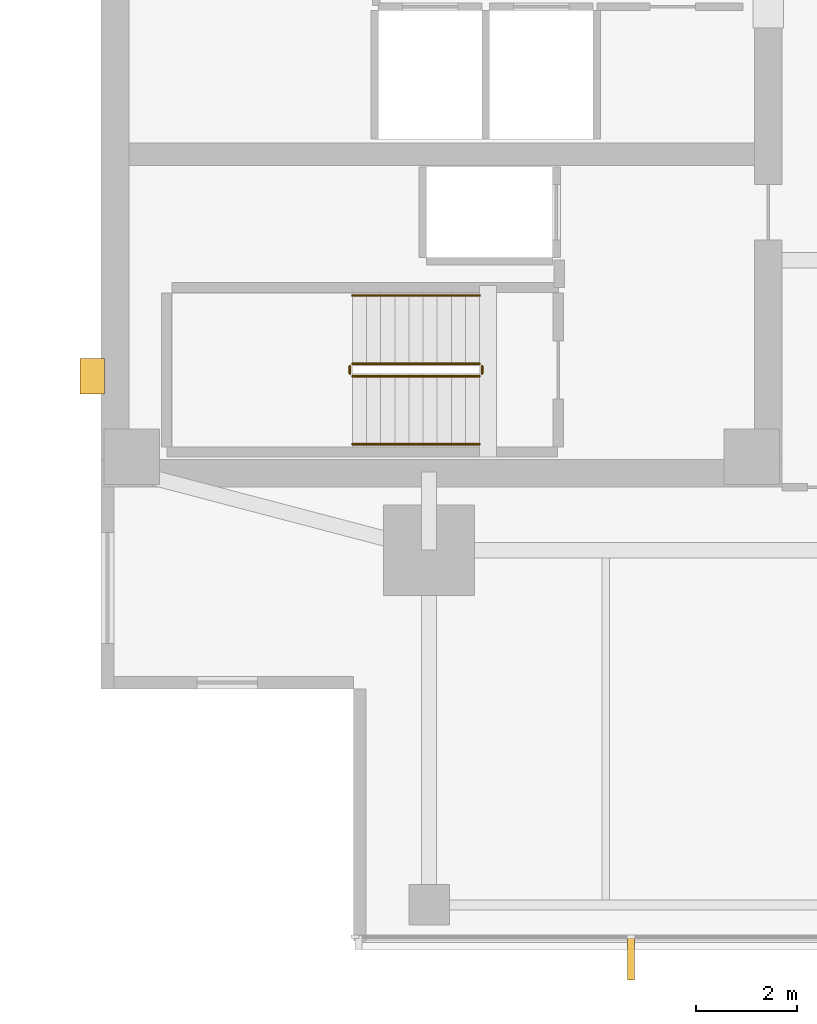
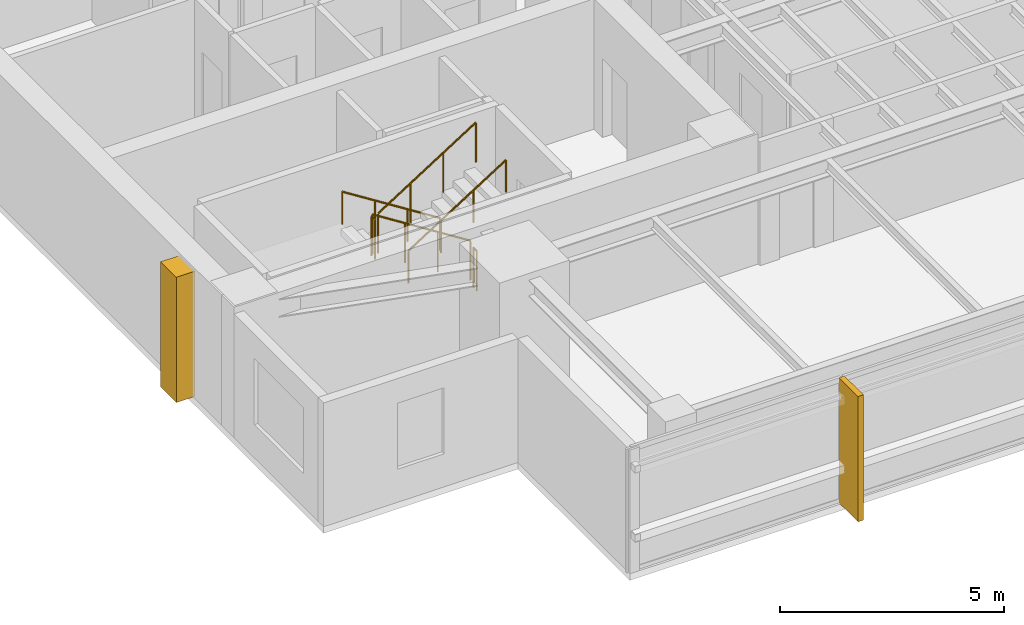
# One storey, part 11 of 14: 6 railings, 2 coverings.
"""IFC4 building model written with IfcOpenShell, lengths in metres."""

from ifc_helpers import new_model, si_unit, direction, frame, origin, origin_2d, place, context, subcontext, project, spatial, polyline, circle, outline, extrude, material, layer, layer_set, type_object, element, save


model = new_model("IFC4")

# Units and contexts
model_context = context("Model", 3, precision=1e-05, world=origin(), true_north=direction((0.0, 1.0)))
body_context = subcontext(model_context, "Body", "Model", "MODEL_VIEW")
ifc_project = project(units=[si_unit("LENGTHUNIT", "METRE"), si_unit("AREAUNIT", "SQUARE_METRE"), si_unit("VOLUMEUNIT", "CUBIC_METRE"), si_unit("PLANEANGLEUNIT", "RADIAN"), si_unit("MASSUNIT", "GRAM", prefix="KILO")], contexts=[model_context])

# Site, building, storey
site_placement = place(None, origin())
site = spatial("IfcSite", under=ifc_project, at=site_placement, CompositionType="ELEMENT")
building_placement = place(site_placement, origin())
building = spatial("IfcBuilding", under=site, at=building_placement, Name="Kinhvarn Gate Tower", CompositionType="ELEMENT")
storey_placement = place(building_placement, frame((0.0, 0.0, 216.449951171875)))
storey = spatial("IfcBuildingStorey", under=building, at=storey_placement, Name="L57", CompositionType="ELEMENT", Elevation=216.449951171875)

# Coverings
ifc_material_1 = material(Name="Fired architectural terracotta", Category="masonry")
ifc_layer_1 = layer(ifc_material_1, 0.139892578125)
ifc_layer_set_1 = layer_set([ifc_layer_1], Name="Fired architectural terracotta")
covering_type_1 = type_object("IfcCoveringType", Name="COV-FIN-850", PredefinedType="CLADDING", material=ifc_layer_set_1)
covering_1_placement = place(storey_placement, frame((0.0, 0.0, -0.02001953125)))
element("IfcCovering", 1, at=covering_1_placement, inside=storey, type_object=covering_type_1, Name="Vertical Terracotta Expressive Fin TFN-850 (L57)", PredefinedType="CLADDING", context=body_context, shape_type="SweptSolid", body=[
    extrude(outline(polyline([(14.929931640625, 5.080078125), (15.070068359375, 5.080078125), (15.070068359375, 4.22998046875), (14.929931640625, 4.22998046875), (14.929931640625, 5.080078125)])), origin(), (0.0, 0.0, 1.0), 3.41015625),
])
ifc_material_2 = material(Name="Precast white architectural concrete C40/50", Category="concrete")
ifc_layer_2 = layer(ifc_material_2, 0.47998046875)
ifc_layer_set_2 = layer_set([ifc_layer_2], Name="Precast white architectural concrete C40/50")
covering_type_2 = type_object("IfcCoveringType", Name="COV-RIB-450", PredefinedType="CLADDING", material=ifc_layer_set_2)
covering_2_placement = place(storey_placement, frame((0.0, 0.0, -0.02001953125)))
element("IfcCovering", 2, at=covering_2_placement, inside=storey, type_object=covering_type_2, Name="West Core Sculptural Concrete Relief Rib CRB-450 (L57)", PredefinedType="CLADDING", context=body_context, shape_type="SweptSolid", body=[
    extrude(outline(polyline([(4.080078125, 15.85009765625), (4.56005859375, 15.85009765625), (4.56005859375, 16.550048828125), (4.080078125, 16.550048828125), (4.080078125, 15.85009765625)])), origin(), (0.0, 0.0, 1.0), 3.41015625),
])

# Railings
ifc_material_3 = material(Name="Steel S355", Category="steel")
railing_type_1 = type_object("IfcRailingType", Name="RL-ST-GRD", PredefinedType="BALUSTRADE", material=ifc_material_3)
railing_1_placement = place(storey_placement, frame((12.0, 16.449951171875, 0.177490234375)))
element("IfcRailing", 3, at=railing_1_placement, inside=storey, type_object=railing_type_1, Name="L57 ST1 stair guard 1", PredefinedType="BALUSTRADE", context=body_context, shape_type="SweptSolid", body=[
    extrude(circle(Radius=0.02392578125, at=origin_2d()), frame((0.0, 0.0, 1.076171875), z_axis=(-0.84456994832, 0.0, 0.535445237532), x_axis=(0.0, -1.0, 0.0)), (0.0, 0.0, 1.0), 2.98388671875),
    extrude(circle(Radius=0.02099609375, at=origin_2d()), origin(), (0.0, 0.0, 1.0), 1.052001953125),
    extrude(circle(Radius=0.02099609375, at=origin_2d()), frame((-0.840087890625, 0.0, 0.532470703125)), (0.0, 0.0, 1.0), 1.052001953125),
    extrude(circle(Radius=0.02099609375, at=origin_2d()), frame((-1.679931640625, 0.0, 1.065185546875)), (0.0, 0.0, 1.0), 1.052001953125),
    extrude(circle(Radius=0.02099609375, at=origin_2d()), frame((-2.52001953125, 0.0, 1.59765625)), (0.0, 0.0, 1.0), 1.052001953125),
])
railing_2_placement = place(storey_placement, frame((9.429931640625, 16.39990234375, 1.775146484375)))
element("IfcRailing", 4, at=railing_2_placement, inside=storey, type_object=railing_type_1, Name="L57 ST1 stair guard 2", PredefinedType="BALUSTRADE", context=body_context, shape_type="SweptSolid", body=[
    extrude(circle(Radius=0.02392578125, at=origin_2d()), frame((0.0, 0.0, 1.076171875), z_axis=(0.0, -1.0, 0.0), x_axis=(1.0, 0.0, 0.0)), (0.0, 0.0, 1.0), 0.14990234375),
    extrude(circle(Radius=0.02099609375, at=origin_2d()), origin(), (0.0, 0.0, 1.0), 1.052001953125),
    extrude(circle(Radius=0.02099609375, at=origin_2d()), frame((0.0, -0.14990234375, 0.0)), (0.0, 0.0, 1.0), 1.052001953125),
])
railing_3_placement = place(storey_placement, frame((9.47998046875, 16.199951171875, 1.95263671875)))
element("IfcRailing", 5, at=railing_3_placement, inside=storey, type_object=railing_type_1, Name="L57 ST1 stair guard 3", PredefinedType="BALUSTRADE", context=body_context, shape_type="SweptSolid", body=[
    extrude(circle(Radius=0.02392578125, at=origin_2d()), frame((0.0, 0.0, 1.076171875), z_axis=(0.84460694969, 0.0, 0.535386869969), x_axis=(0.0, 1.0, 0.0)), (0.0, 0.0, 1.0), 2.983642578125),
    extrude(circle(Radius=0.02099609375, at=origin_2d()), origin(), (0.0, 0.0, 1.0), 1.052001953125),
    extrude(circle(Radius=0.02099609375, at=origin_2d()), frame((0.840087890625, 0.0, 0.532470703125)), (0.0, 0.0, 1.0), 1.052001953125),
    extrude(circle(Radius=0.02099609375, at=origin_2d()), frame((1.679931640625, 0.0, 1.06494140625)), (0.0, 0.0, 1.0), 1.052001953125),
    extrude(circle(Radius=0.02099609375, at=origin_2d()), frame((2.52001953125, 0.0, 1.597412109375)), (0.0, 0.0, 1.0), 1.052001953125),
])
railing_4_placement = place(storey_placement, frame((12.050048828125, 16.39990234375, 0.0)))
element("IfcRailing", 6, at=railing_4_placement, inside=storey, type_object=railing_type_1, Name="L57 ST1 stair guard 4", PredefinedType="BALUSTRADE", context=body_context, shape_type="SweptSolid", body=[
    extrude(circle(Radius=0.02392578125, at=origin_2d()), frame((0.0, 0.0, 1.076171875), z_axis=(0.0, -1.0, 0.0), x_axis=(1.0, 0.0, 0.0)), (0.0, 0.0, 1.0), 0.14990234375),
    extrude(circle(Radius=0.02099609375, at=origin_2d()), origin(), (0.0, 0.0, 1.0), 1.052001953125),
    extrude(circle(Radius=0.02099609375, at=origin_2d()), frame((0.0, -0.14990234375, 0.0)), (0.0, 0.0, 1.0), 1.052001953125),
])
railing_type_2 = type_object("IfcRailingType", Name="RL-ST-HND", PredefinedType="HANDRAIL", material=ifc_material_3)
railing_5_placement = place(storey_placement, frame((12.0, 17.800048828125, 0.177490234375)))
element("IfcRailing", 7, at=railing_5_placement, inside=storey, type_object=railing_type_2, Name="L57 ST1 stair handrail 1", PredefinedType="HANDRAIL", context=body_context, shape_type="SweptSolid", body=[
    extrude(circle(Radius=0.02392578125, at=origin_2d()), frame((0.0, 0.0, 0.8759765625), z_axis=(-0.84456994832, 0.0, 0.535445237532), x_axis=(0.0, -1.0, 0.0)), (0.0, 0.0, 1.0), 2.98388671875),
    extrude(circle(Radius=0.02099609375, at=origin_2d()), origin(), (0.0, 0.0, 1.0), 0.851806640625),
    extrude(circle(Radius=0.02099609375, at=origin_2d()), frame((-0.840087890625, 0.0, 0.532470703125)), (0.0, 0.0, 1.0), 0.851806640625),
    extrude(circle(Radius=0.02099609375, at=origin_2d()), frame((-1.679931640625, 0.0, 1.065185546875)), (0.0, 0.0, 1.0), 0.851806640625),
    extrude(circle(Radius=0.02099609375, at=origin_2d()), frame((-2.52001953125, 0.0, 1.59765625)), (0.0, 0.0, 1.0), 0.851806640625),
])
railing_6_placement = place(storey_placement, frame((9.47998046875, 14.85009765625, 1.95263671875)))
element("IfcRailing", 8, at=railing_6_placement, inside=storey, type_object=railing_type_2, Name="L57 ST1 stair handrail 2", PredefinedType="HANDRAIL", context=body_context, shape_type="SweptSolid", body=[
    extrude(circle(Radius=0.02392578125, at=origin_2d()), frame((0.0, 0.0, 0.8759765625), z_axis=(0.84460694969, 0.0, 0.535386869969), x_axis=(0.0, 1.0, 0.0)), (0.0, 0.0, 1.0), 2.983642578125),
    extrude(circle(Radius=0.02099609375, at=origin_2d()), origin(), (0.0, 0.0, 1.0), 0.851806640625),
    extrude(circle(Radius=0.02099609375, at=origin_2d()), frame((0.840087890625, 0.0, 0.532470703125)), (0.0, 0.0, 1.0), 0.851806640625),
    extrude(circle(Radius=0.02099609375, at=origin_2d()), frame((1.679931640625, 0.0, 1.06494140625)), (0.0, 0.0, 1.0), 0.851806640625),
    extrude(circle(Radius=0.02099609375, at=origin_2d()), frame((2.52001953125, 0.0, 1.597412109375)), (0.0, 0.0, 1.0), 0.851806640625),
])

save(model, "model.ifc")
